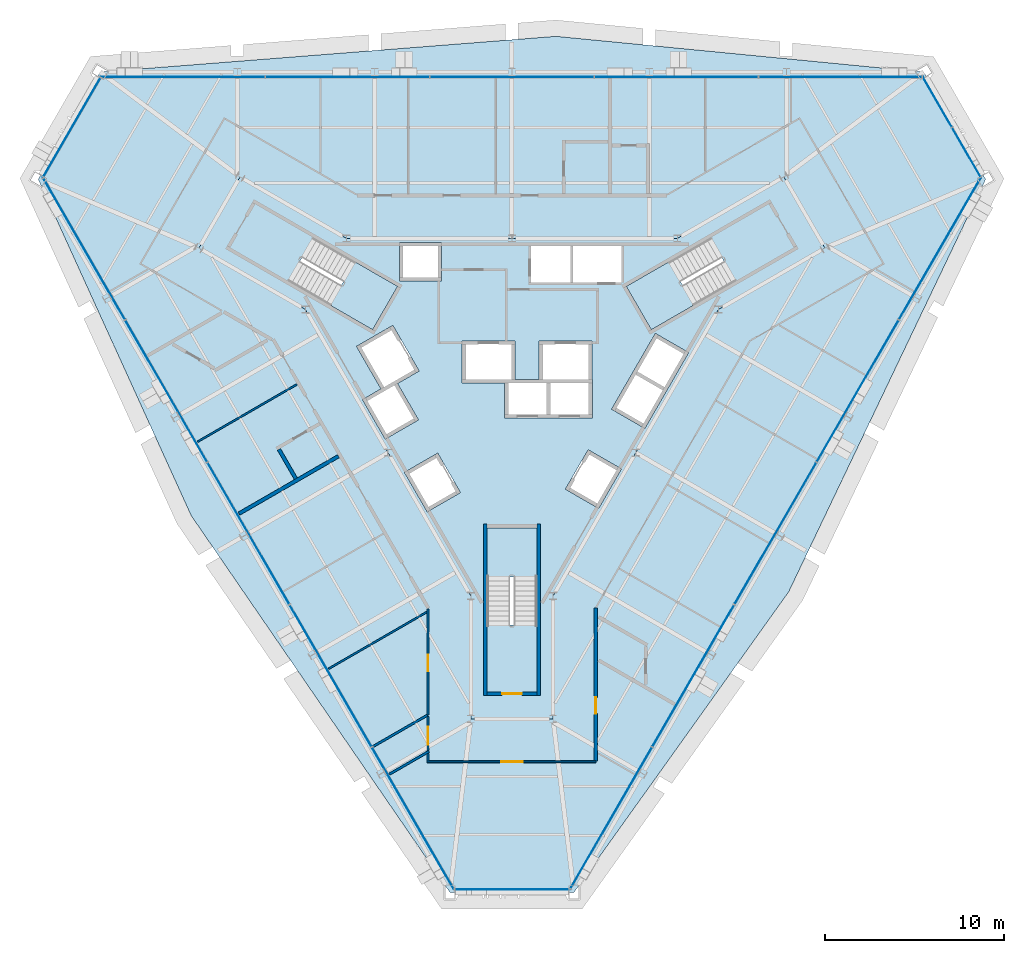
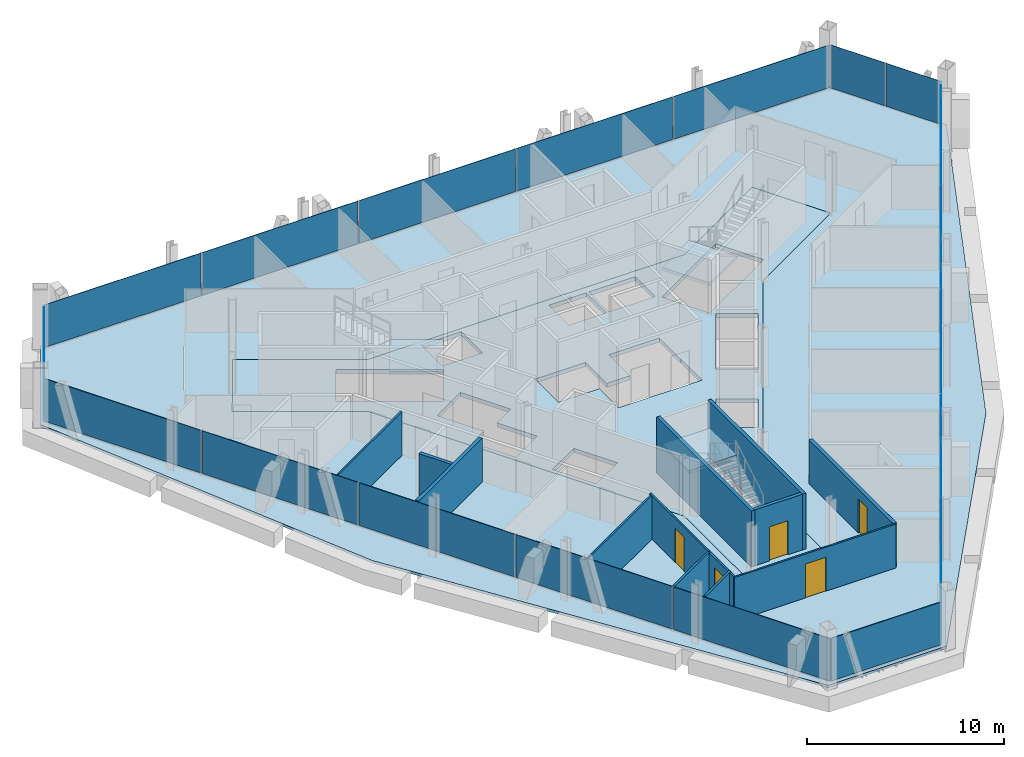
# One storey, part 7 of 13: 19 plates, 14 walls, 5 doors, 5 slabs, 5 openings, 9 elements without a shape of their own.
"""IFC4 building model written with IfcOpenShell, lengths in metres."""

from ifc_helpers import new_model, si_unit, direction, frame, frame_2d, origin, origin_2d, place, context, subcontext, project, spatial, polyline, rectangle, outline, extrude, material, layer, layer_set, type_object, element, fill, aggregate, save


model = new_model("IFC4")

# Units and contexts
model_context = context("Model", 3, precision=1e-05, world=origin(), true_north=direction((0.0, 1.0)))
body_context = subcontext(model_context, "Body", "Model", "MODEL_VIEW")
ifc_project = project(units=[si_unit("LENGTHUNIT", "METRE"), si_unit("AREAUNIT", "SQUARE_METRE"), si_unit("VOLUMEUNIT", "CUBIC_METRE"), si_unit("PLANEANGLEUNIT", "RADIAN"), si_unit("MASSUNIT", "GRAM", prefix="KILO")], contexts=[model_context])

# Site, building, storey
site_placement = place(None, origin())
site = spatial("IfcSite", under=ifc_project, at=site_placement, CompositionType="ELEMENT")
building_placement = place(site_placement, origin())
building = spatial("IfcBuilding", under=site, at=building_placement, Name="Verrane Prism Tower", CompositionType="ELEMENT")
storey_placement = place(building_placement, frame((0.0, 0.0, 167.300048828125)))
storey = spatial("IfcBuildingStorey", under=building, at=storey_placement, Name="L41", CompositionType="ELEMENT", Elevation=167.300048828125)

# Slabs
ifc_material_1 = material(Name="Concrete C35/45", Category="concrete")
ifc_layer_1 = layer(ifc_material_1, 0.159912109375)
ifc_layer_set_1 = layer_set([ifc_layer_1], Name="Composite floor slab")
slab_type_1 = type_object("IfcSlabType", Name="Composite floor slab", PredefinedType="FLOOR", material=ifc_layer_set_1)
slab_1_placement = place(storey_placement, frame((0.0, 0.0, -0.16015625)))
element("IfcSlab", 1, at=slab_1_placement, inside=storey, type_object=slab_type_1, Name="Floor slab L41", PredefinedType="FLOOR", context=body_context, shape_type="SweptSolid", body=[
    extrude(outline(polyline([(15.49365234375, -11.7841796875), (3.467041015625, -28.614990234375), (-3.467041015625, -28.614990234375), (-17.9521484375, -7.52587890625), (-26.514892578125, 11.304931640625), (-23.0478515625, 17.31005859375), (2.45849609375, 19.31005859375), (23.0478515625, 17.31005859375), (26.514892578125, 11.304931640625), (15.49365234375, -11.7841796875)]), holes=[polyline([(17.52001953125, 7.4599609375), (15.219970703125, 11.43994140625), (9.260009765625, 8.0), (0.0, 8.0), (-9.260009765625, 8.0), (-15.219970703125, 11.43994140625), (-17.52001953125, 7.4599609375), (-11.56005859375, 4.02001953125), (-6.929931640625, -4.0), (-2.300048828125, -12.02001953125), (-2.300048828125, -18.89990234375), (2.300048828125, -18.89990234375), (2.300048828125, -12.02001953125), (6.929931640625, -4.0), (11.56005859375, 4.02001953125), (17.52001953125, 7.4599609375)])]), origin(), (0.0, 0.0, 1.0), 0.16015625),
])
ifc_material_2 = material(Name="Concrete C40/50", Category="concrete")
ifc_layer_2 = layer(ifc_material_2, 0.25)
ifc_layer_set_2 = layer_set([ifc_layer_2], Name="Core floor slab 250 concrete C40/50")
slab_type_2 = type_object("IfcSlabType", Name="Core floor slab 250 concrete C40/50", PredefinedType="FLOOR", material=ifc_layer_set_2)
slab_2_placement = place(storey_placement, frame((0.0, 0.0, -0.25)))
element("IfcSlab", 2, at=slab_2_placement, inside=storey, type_object=slab_type_2, Name="Core floor L41", PredefinedType="FLOOR", context=body_context, shape_type="SweptSolid", body=[
    extrude(outline(polyline([(11.56005859375, 4.02001953125), (17.52001953125, 7.4599609375), (15.219970703125, 11.43994140625), (9.260009765625, 8.0), (0.0, 8.0), (-9.260009765625, 8.0), (-15.219970703125, 11.43994140625), (-17.52001953125, 7.4599609375), (-11.56005859375, 4.02001953125), (-6.929931640625, -4.0), (-2.300048828125, -12.02001953125), (-2.300048828125, -18.89990234375), (2.300048828125, -18.89990234375), (2.300048828125, -12.02001953125), (6.929931640625, -4.0), (11.56005859375, 4.02001953125)]), holes=[polyline([(1.39990234375, -8.199951171875), (1.39990234375, -13.639892578125), (-1.39990234375, -13.639892578125), (-1.39990234375, -8.199951171875), (1.39990234375, -8.199951171875)]), polyline([(-2.881103515625, -6.22998046875), (-4.742919921875, -7.304931640625), (-6.01806640625, -5.096923828125), (-4.156005859375, -4.02197265625), (-2.881103515625, -6.22998046875)]), polyline([(-7.801025390625, 2.887939453125), (-12.512939453125, 5.60791015625), (-11.113037109375, 8.031982421875), (-6.40087890625, 5.31201171875), (-7.801025390625, 2.887939453125)]), polyline([(-6.284912109375, 5.610107421875), (-6.284912109375, 7.760009765625), (-3.93505859375, 7.760009765625), (-3.93505859375, 5.610107421875), (-6.284912109375, 5.610107421875)]), polyline([(4.26611328125, -3.8310546875), (6.1279296875, -4.906005859375), (4.85302734375, -7.114990234375), (2.990966796875, -6.0400390625), (4.26611328125, -3.8310546875)]), polyline([(7.43798828125, -2.636962890625), (5.575927734375, -1.56201171875), (8.02587890625, 2.680908203125), (9.887939453125, 1.60595703125), (7.43798828125, -2.636962890625)]), polyline([(0.1650390625, 0.10009765625), (1.52490234375, 0.10009765625), (1.52490234375, 2.25), (4.47509765625, 2.25), (4.47509765625, 0.10009765625), (4.4951171875, 0.10009765625), (4.4951171875, -2.050048828125), (-0.405029296875, -2.050048828125), (-0.405029296875, -0.10009765625), (-2.784912109375, -0.10009765625), (-2.784912109375, 2.25), (0.1650390625, 2.25), (0.1650390625, 0.10009765625)]), polyline([(6.40087890625, 5.31201171875), (11.113037109375, 8.031982421875), (12.512939453125, 5.60791015625), (7.801025390625, 2.887939453125), (6.40087890625, 5.31201171875)]), polyline([(1.074951171875, 5.534912109375), (1.074951171875, 7.56005859375), (3.264892578125, 7.56005859375), (3.264892578125, 5.534912109375), (1.074951171875, 5.534912109375)]), polyline([(3.4150390625, 7.56005859375), (6.125, 7.56005859375), (6.125, 5.534912109375), (3.4150390625, 5.534912109375), (3.4150390625, 7.56005859375)]), polyline([(-5.23095703125, -2.159912109375), (-7.093017578125, -3.235107421875), (-8.367919921875, -1.02587890625), (-7.3291015625, -0.426025390625), (-8.7041015625, 1.955078125), (-6.66796875, 3.1298828125), (-5.193115234375, 0.574951171875), (-6.406005859375, -0.125), (-5.23095703125, -2.159912109375)])]), origin(), (0.0, 0.0, 1.0), 0.25),
])

# Curtain wall, plates
ifc_material_3 = material(Name="Aluminium framed insulated glazing", Category="aluminium")
curtain_wall_type_1 = type_object("IfcCurtainWallType", Name="Curtain wall CW-C 4200 module", PredefinedType="NOTDEFINED", material=ifc_material_3)
curtain_wall_1_placement = place(storey_placement, origin())
curtain_wall_1 = element("IfcCurtainWall", 3, at=curtain_wall_1_placement, inside=storey, type_object=curtain_wall_type_1, Name="Glazed curtain wall north-east corner L41", PredefinedType="NOTDEFINED")
ifc_material_4 = material(Name="Low-iron insulating glass unit", Category="glass")
ifc_layer_3 = layer(ifc_material_4, 0.02392578125)
ifc_layer_set_3 = layer_set([ifc_layer_3], Name="Glazing panel IGU 24")
plate_type_1 = type_object("IfcPlateType", Name="Glazing panel IGU 24", PredefinedType="CURTAIN_PANEL", material=ifc_layer_set_3)
plate_1_placement = place(storey_placement, frame((25.43310546875, 12.823486328125, 0.0498046875), z_axis=(0.0, 0.0, 1.0), x_axis=(-0.50000590643, 0.866021993679, 0.0)))
plate_1 = element("IfcPlate", 4, at=plate_1_placement, type_object=plate_type_1, Name="CW39.1 panel 1", PredefinedType="CURTAIN_PANEL", context=body_context, shape_type="SweptSolid", body=[
    extrude(rectangle(XDim=3.17236328125, YDim=0.02392578125, at=origin_2d()), origin(), (0.0, 0.0, 1.0), 2.662841796875),
])
plate_2_placement = place(storey_placement, frame((23.8095703125, 15.6357421875, 0.0498046875), z_axis=(0.0, 0.0, 1.0), x_axis=(-0.50000590643, 0.866021993679, 0.0)))
plate_2 = element("IfcPlate", 5, at=plate_2_placement, type_object=plate_type_1, Name="CW39.1 panel 2", PredefinedType="CURTAIN_PANEL", context=body_context, shape_type="SweptSolid", body=[
    extrude(rectangle(XDim=3.22216796875, YDim=0.02392578125, at=origin_2d()), origin(), (0.0, 0.0, 1.0), 2.662841796875),
])
aggregate(curtain_wall_1, [plate_1, plate_2])

ifc_material_5 = material(Name="Aluminium framed insulated glazing", Category="aluminium")
curtain_wall_type_2 = type_object("IfcCurtainWallType", Name="Curtain wall CW-A 8400 module", PredefinedType="NOTDEFINED", material=ifc_material_5)
curtain_wall_2_placement = place(storey_placement, origin())
curtain_wall_2 = element("IfcCurtainWall", 6, at=curtain_wall_2_placement, inside=storey, type_object=curtain_wall_type_2, Name="Glazed curtain wall north face L41", PredefinedType="NOTDEFINED")
ifc_material_6 = material(Name="Low-iron insulating glass unit", Category="glass")
ifc_layer_4 = layer(ifc_material_6, 0.031982421875)
ifc_layer_set_4 = layer_set([ifc_layer_4], Name="Glazing panel IGU 32")
plate_type_2 = type_object("IfcPlateType", Name="Glazing panel IGU 32", PredefinedType="CURTAIN_PANEL", material=ifc_layer_set_4)
plate_3_placement = place(storey_placement, frame((18.3857421875, 17.031005859375, 0.06982421875), z_axis=(0.0, 0.0, 1.0), x_axis=(-1.0, 0.0, 0.0)))
plate_3 = element("IfcPlate", 7, at=plate_3_placement, type_object=plate_type_2, Name="CW39.2 panel 1", PredefinedType="CURTAIN_PANEL", context=body_context, shape_type="SweptSolid", body=[
    extrude(rectangle(XDim=9.0966796875, YDim=0.031982421875, at=origin_2d()), origin(), (0.0, 0.0, 1.0), 2.642822265625),
])
plate_4_placement = place(storey_placement, frame((9.20166015625, 17.031005859375, 0.06982421875), z_axis=(0.0, 0.0, 1.0), x_axis=(-1.0, 0.0, 0.0)))
plate_4 = element("IfcPlate", 8, at=plate_4_placement, type_object=plate_type_2, Name="CW39.2 panel 2", PredefinedType="CURTAIN_PANEL", context=body_context, shape_type="SweptSolid", body=[
    extrude(rectangle(XDim=9.131591796875, YDim=0.031982421875, at=origin_2d()), origin(), (0.0, 0.0, 1.0), 2.642822265625),
])
plate_5_placement = place(storey_placement, frame((0.0, 17.031005859375, 0.06982421875), z_axis=(0.0, 0.0, 1.0), x_axis=(-1.0, 0.0, 0.0)))
plate_5 = element("IfcPlate", 9, at=plate_5_placement, type_object=plate_type_2, Name="CW39.2 panel 3", PredefinedType="CURTAIN_PANEL", context=body_context, shape_type="SweptSolid", body=[
    extrude(rectangle(XDim=9.131591796875, YDim=0.031982421875, at=origin_2d()), origin(), (0.0, 0.0, 1.0), 2.642822265625),
])
plate_6_placement = place(storey_placement, frame((-9.20166015625, 17.031005859375, 0.06982421875), z_axis=(0.0, 0.0, 1.0), x_axis=(-1.0, 0.0, 0.0)))
plate_6 = element("IfcPlate", 10, at=plate_6_placement, type_object=plate_type_2, Name="CW39.2 panel 4", PredefinedType="CURTAIN_PANEL", context=body_context, shape_type="SweptSolid", body=[
    extrude(rectangle(XDim=9.131591796875, YDim=0.031982421875, at=origin_2d()), origin(), (0.0, 0.0, 1.0), 2.642822265625),
])
plate_7_placement = place(storey_placement, frame((-18.420654296875, 17.031005859375, 0.06982421875), z_axis=(0.0, 0.0, 1.0), x_axis=(-1.0, 0.0, 0.0)))
plate_7 = element("IfcPlate", 11, at=plate_7_placement, type_object=plate_type_2, Name="CW39.2 panel 5", PredefinedType="CURTAIN_PANEL", context=body_context, shape_type="SweptSolid", body=[
    extrude(rectangle(XDim=9.16650390625, YDim=0.031982421875, at=origin_2d()), origin(), (0.0, 0.0, 1.0), 2.642822265625),
])
aggregate(curtain_wall_2, [plate_3, plate_4, plate_5, plate_6, plate_7])

# Curtain wall, plate
curtain_wall_3_placement = place(storey_placement, origin())
curtain_wall_3 = element("IfcCurtainWall", 12, at=curtain_wall_3_placement, inside=storey, type_object=curtain_wall_type_2, Name="Glazed curtain wall north-west corner L41", PredefinedType="NOTDEFINED")
plate_8_placement = place(storey_placement, frame((-24.645263671875, 14.1884765625, 0.06982421875), z_axis=(0.0, 0.0, 1.0), x_axis=(-0.50000590643, -0.866021993679, 0.0)))
plate_8 = element("IfcPlate", 13, at=plate_8_placement, type_object=plate_type_2, Name="CW39.3 panel 1", PredefinedType="CURTAIN_PANEL", context=body_context, shape_type="SweptSolid", body=[
    extrude(rectangle(XDim=6.424560546875, YDim=0.031982421875, at=origin_2d()), origin(), (0.0, 0.0, 1.0), 2.642822265625),
])
aggregate(curtain_wall_3, [plate_8])

# Curtain wall, plates
curtain_wall_4_placement = place(storey_placement, origin())
curtain_wall_4 = element("IfcCurtainWall", 14, at=curtain_wall_4_placement, inside=storey, type_object=curtain_wall_type_2, Name="Glazed curtain wall south-west face L41", PredefinedType="NOTDEFINED")
plate_9_placement = place(storey_placement, frame((-23.942138671875, 7.406982421875, 0.06982421875), z_axis=(0.0, 0.0, 1.0), x_axis=(0.499999028499, -0.86602596468, 0.0)))
plate_9 = element("IfcPlate", 15, at=plate_9_placement, type_object=plate_type_2, Name="CW39.4 panel 1", PredefinedType="CURTAIN_PANEL", context=body_context, shape_type="SweptSolid", body=[
    extrude(rectangle(XDim=9.0966796875, YDim=0.031982421875, at=origin_2d()), origin(), (0.0, 0.0, 1.0), 2.642822265625),
])
plate_10_placement = place(storey_placement, frame((-19.35009765625, -0.546630859375, 0.06982421875), z_axis=(0.0, 0.0, 1.0), x_axis=(0.499999028499, -0.86602596468, 0.0)))
plate_10 = element("IfcPlate", 16, at=plate_10_placement, type_object=plate_type_2, Name="CW39.4 panel 2", PredefinedType="CURTAIN_PANEL", context=body_context, shape_type="SweptSolid", body=[
    extrude(rectangle(XDim=9.131591796875, YDim=0.031982421875, at=origin_2d()), origin(), (0.0, 0.0, 1.0), 2.642822265625),
])
plate_11_placement = place(storey_placement, frame((-14.749267578125, -8.515380859375, 0.06982421875), z_axis=(0.0, 0.0, 1.0), x_axis=(0.499999028499, -0.86602596468, 0.0)))
plate_11 = element("IfcPlate", 17, at=plate_11_placement, type_object=plate_type_2, Name="CW39.4 panel 3", PredefinedType="CURTAIN_PANEL", context=body_context, shape_type="SweptSolid", body=[
    extrude(rectangle(XDim=9.131591796875, YDim=0.031982421875, at=origin_2d()), origin(), (0.0, 0.0, 1.0), 2.642822265625),
])
plate_12_placement = place(storey_placement, frame((-10.1484375, -16.484375, 0.06982421875), z_axis=(0.0, 0.0, 1.0), x_axis=(0.499999028499, -0.86602596468, 0.0)))
plate_12 = element("IfcPlate", 18, at=plate_12_placement, type_object=plate_type_2, Name="CW39.4 panel 4", PredefinedType="CURTAIN_PANEL", context=body_context, shape_type="SweptSolid", body=[
    extrude(rectangle(XDim=9.131591796875, YDim=0.031982421875, at=origin_2d()), origin(), (0.0, 0.0, 1.0), 2.642822265625),
])
plate_13_placement = place(storey_placement, frame((-5.5390625, -24.46826171875, 0.06982421875), z_axis=(0.0, 0.0, 1.0), x_axis=(0.499999028499, -0.86602596468, 0.0)))
plate_13 = element("IfcPlate", 19, at=plate_13_placement, type_object=plate_type_2, Name="CW39.4 panel 5", PredefinedType="CURTAIN_PANEL", context=body_context, shape_type="SweptSolid", body=[
    extrude(rectangle(XDim=9.16650390625, YDim=0.031982421875, at=origin_2d()), origin(), (0.0, 0.0, 1.0), 2.642822265625),
])
aggregate(curtain_wall_4, [plate_9, plate_10, plate_11, plate_12, plate_13])

# Curtain wall, plate
curtain_wall_5_placement = place(storey_placement, origin())
curtain_wall_5 = element("IfcCurtainWall", 20, at=curtain_wall_5_placement, inside=storey, type_object=curtain_wall_type_2, Name="Glazed curtain wall south corner L41", PredefinedType="NOTDEFINED")
plate_14_placement = place(storey_placement, frame((0.034912109375, -28.4375, 0.06982421875), z_axis=(0.0, 0.0, 1.0), x_axis=(1.0, 0.0, 0.0)))
plate_14 = element("IfcPlate", 21, at=plate_14_placement, type_object=plate_type_2, Name="CW39.5 panel 1", PredefinedType="CURTAIN_PANEL", context=body_context, shape_type="SweptSolid", body=[
    extrude(rectangle(XDim=6.424560546875, YDim=0.031982421875, at=origin_2d()), origin(), (0.0, 0.0, 1.0), 2.642822265625),
])
aggregate(curtain_wall_5, [plate_14])

# Curtain wall, plates
curtain_wall_6_placement = place(storey_placement, origin())
curtain_wall_6 = element("IfcCurtainWall", 22, at=curtain_wall_6_placement, inside=storey, type_object=curtain_wall_type_2, Name="Glazed curtain wall south-east face L41", PredefinedType="NOTDEFINED")
plate_15_placement = place(storey_placement, frame((5.556396484375, -24.43798828125, 0.06982421875), z_axis=(0.0, 0.0, 1.0), x_axis=(0.499999028499, 0.86602596468, 0.0)))
plate_15 = element("IfcPlate", 23, at=plate_15_placement, type_object=plate_type_2, Name="CW39.6 panel 1", PredefinedType="CURTAIN_PANEL", context=body_context, shape_type="SweptSolid", body=[
    extrude(rectangle(XDim=9.0966796875, YDim=0.031982421875, at=origin_2d()), origin(), (0.0, 0.0, 1.0), 2.642822265625),
])
plate_16_placement = place(storey_placement, frame((10.1484375, -16.484375, 0.06982421875), z_axis=(0.0, 0.0, 1.0), x_axis=(0.499999028499, 0.86602596468, 0.0)))
plate_16 = element("IfcPlate", 24, at=plate_16_placement, type_object=plate_type_2, Name="CW39.6 panel 2", PredefinedType="CURTAIN_PANEL", context=body_context, shape_type="SweptSolid", body=[
    extrude(rectangle(XDim=9.131591796875, YDim=0.031982421875, at=origin_2d()), origin(), (0.0, 0.0, 1.0), 2.642822265625),
])
plate_17_placement = place(storey_placement, frame((14.749267578125, -8.515380859375, 0.06982421875), z_axis=(0.0, 0.0, 1.0), x_axis=(0.499999028499, 0.86602596468, 0.0)))
plate_17 = element("IfcPlate", 25, at=plate_17_placement, type_object=plate_type_2, Name="CW39.6 panel 3", PredefinedType="CURTAIN_PANEL", context=body_context, shape_type="SweptSolid", body=[
    extrude(rectangle(XDim=9.131591796875, YDim=0.031982421875, at=origin_2d()), origin(), (0.0, 0.0, 1.0), 2.642822265625),
])
plate_18_placement = place(storey_placement, frame((19.35009765625, -0.546630859375, 0.06982421875), z_axis=(0.0, 0.0, 1.0), x_axis=(0.499999028499, 0.86602596468, 0.0)))
plate_18 = element("IfcPlate", 26, at=plate_18_placement, type_object=plate_type_2, Name="CW39.6 panel 4", PredefinedType="CURTAIN_PANEL", context=body_context, shape_type="SweptSolid", body=[
    extrude(rectangle(XDim=9.131591796875, YDim=0.031982421875, at=origin_2d()), origin(), (0.0, 0.0, 1.0), 2.642822265625),
])
plate_19_placement = place(storey_placement, frame((23.959716796875, 7.437255859375, 0.06982421875), z_axis=(0.0, 0.0, 1.0), x_axis=(0.499999028499, 0.86602596468, 0.0)))
plate_19 = element("IfcPlate", 27, at=plate_19_placement, type_object=plate_type_2, Name="CW39.6 panel 5", PredefinedType="CURTAIN_PANEL", context=body_context, shape_type="SweptSolid", body=[
    extrude(rectangle(XDim=9.16650390625, YDim=0.031982421875, at=origin_2d()), origin(), (0.0, 0.0, 1.0), 2.642822265625),
])
aggregate(curtain_wall_6, [plate_15, plate_16, plate_17, plate_18, plate_19])

# Stair, slab
ifc_material_7 = material(Name="Concrete C40/50", Category="concrete")
stair_type = type_object("IfcStairType", Name="Exit stair 1300 dog-leg precast concrete C40/50", PredefinedType="HALF_TURN_STAIR", material=ifc_material_7)
stair_1_placement = place(storey_placement, origin())
stair_1 = element("IfcStair", 28, at=stair_1_placement, inside=storey, type_object=stair_type, Name="Stair 1 L41", PredefinedType="HALF_TURN_STAIR")
ifc_material_8 = material(Name="Concrete C40/50", Category="concrete")
ifc_layer_5 = layer(ifc_material_8, 0.199951171875)
ifc_layer_set_5 = layer_set([ifc_layer_5], Name="Stair landing 200 precast concrete C40/50")
slab_type_3 = type_object("IfcSlabType", Name="Stair landing 200 precast concrete C40/50", PredefinedType="LANDING", material=ifc_layer_set_5)
slab_3_placement = place(storey_placement, frame((0.0, 0.0, 1.64990234375)))
slab_3 = element("IfcSlab", 29, at=slab_3_placement, type_object=slab_type_3, Name="Stair 1 landing 1", PredefinedType="LANDING", context=body_context, shape_type="SweptSolid", body=[
    extrude(outline(polyline([(8.791748046875, 6.6923828125), (6.4013671875, 5.3125), (7.801513671875, 2.887451171875), (10.191650390625, 4.267578125), (8.791748046875, 6.6923828125)])), origin(), (0.0, 0.0, 1.0), 0.199951171875),
])
aggregate(stair_1, [slab_3])

stair_2_placement = place(storey_placement, origin())
stair_2 = element("IfcStair", 30, at=stair_2_placement, inside=storey, type_object=stair_type, Name="Stair 2 L41", PredefinedType="HALF_TURN_STAIR")
slab_4_placement = place(storey_placement, frame((0.0, 0.0, 1.64990234375)))
slab_4 = element("IfcSlab", 31, at=slab_4_placement, type_object=slab_type_3, Name="Stair 2 landing 1", PredefinedType="LANDING", context=body_context, shape_type="SweptSolid", body=[
    extrude(outline(polyline([(-10.191650390625, 4.267578125), (-7.801513671875, 2.887451171875), (-6.4013671875, 5.3125), (-8.791748046875, 6.6923828125), (-10.191650390625, 4.267578125)])), origin(), (0.0, 0.0, 1.0), 0.199951171875),
])
aggregate(stair_2, [slab_4])

stair_3_placement = place(storey_placement, origin())
stair_3 = element("IfcStair", 32, at=stair_3_placement, inside=storey, type_object=stair_type, Name="Stair 3 L41", PredefinedType="HALF_TURN_STAIR")
slab_5_placement = place(storey_placement, frame((0.0, 0.0, 1.64990234375)))
slab_5 = element("IfcSlab", 33, at=slab_5_placement, type_object=slab_type_3, Name="Stair 3 landing 1", PredefinedType="LANDING", context=body_context, shape_type="SweptSolid", body=[
    extrude(outline(polyline([(1.39990234375, -10.9599609375), (1.39990234375, -8.199951171875), (-1.39990234375, -8.199951171875), (-1.39990234375, -10.9599609375), (1.39990234375, -10.9599609375)])), origin(), (0.0, 0.0, 1.0), 0.199951171875),
])
aggregate(stair_3, [slab_5])

# Wall, opening, door
ifc_material_9 = material(Name="Concrete C40/50", Category="concrete")
ifc_layer_6 = layer(ifc_material_9, 0.199951171875)
ifc_layer_set_6 = layer_set([ifc_layer_6], Name="CW-200 stair core wall concrete C40/50 3 h")
wall_type_1 = type_object("IfcWallType", Name="CW-200 stair core wall concrete C40/50 3 h", PredefinedType="PARTITIONING", material=ifc_layer_set_6)
wall_1_placement = place(storey_placement, frame((-1.39990234375, -17.5, 0.0), z_axis=(0.0, 0.0, 1.0), x_axis=(1.0, 0.0, 0.0)))
wall_1 = element("IfcWall", 34, at=wall_1_placement, inside=storey, type_object=wall_type_1, Name="Stair 3 enclosure wall", PredefinedType="PARTITIONING", context=body_context, shape_type="SweptSolid", body=[
    extrude(rectangle(XDim=2.7998046875, YDim=0.199951171875, at=frame_2d((1.39990234375, 0.0))), origin(), (0.0, 0.0, 1.0), 3.449951171875),
])
opening_1_placement = place(wall_1_placement, frame((0.85009765625, 0.0, 0.0)))
opening_1 = element("IfcOpeningElement", 35, at=opening_1_placement, cuts=wall_1, Name="Opening D39502", PredefinedType="OPENING", context=body_context, shape_type="SweptSolid", body=[
    extrude(rectangle(XDim=1.10009765625, YDim=2.10009765625, at=frame_2d((0.550048828125, 1.050048828125))), frame((0.0, 0.10986328125, 0.0), z_axis=(0.0, -1.0, 0.0), x_axis=(1.0, 0.0, 0.0)), (0.0, 0.0, 1.0), 0.219970703125),
])
ifc_material_10 = material(Name="Timber veneered door leaf", Category="wood")
door_type_1 = type_object("IfcDoorType", Name="DR-1100x2100 FD90 single leaf stair", OperationType="NOTDEFINED", PredefinedType="DOOR", material=ifc_material_10)
door_1_placement = place(opening_1_placement, origin())
door_1 = element("IfcDoor", 36, at=door_1_placement, inside=storey, type_object=door_type_1, Name="Stair 3 door", OperationType="SINGLE_SWING_LEFT", OverallHeight=2.10009765625, OverallWidth=1.10009765625, PredefinedType="DOOR", context=body_context, shape_type="SweptSolid", body=[
    extrude(rectangle(XDim=1.10009765625, YDim=2.10009765625, at=frame_2d((0.550048828125, 1.050048828125))), frame((0.0, 0.02490234375, 0.0), z_axis=(0.0, -1.0, 0.0), x_axis=(1.0, 0.0, 0.0)), (0.0, 0.0, 1.0), 0.050048828125),
])
fill(opening_1, door_1)

# Walls
for number, where, z_axis, x_axis, name in (
    (37, (1.5, -8.0, 0.0), (0.0, 0.0, 1.0), (0.0, -1.0, 0.0), "Stair 3 enclosure wall"),
    (38, (-1.5, -8.0, 0.0), (0.0, 0.0, 1.0), (0.0, -1.0, 0.0), "Stair 3 enclosure wall"),
):
    element("IfcWall", number, at=place(storey_placement, frame(where, z_axis=z_axis, x_axis=x_axis)), inside=storey, type_object=wall_type_1, Name=name, PredefinedType="PARTITIONING", context=body_context, shape_type="SweptSolid", body=[
        extrude(rectangle(XDim=9.60009765625, YDim=0.199951171875, at=frame_2d((4.800048828125, 0.0))), origin(), (0.0, 0.0, 1.0), 3.449951171875),
    ])
ifc_material_11 = material(Name="Gypsum board partition", Category="other")
ifc_layer_7 = layer(ifc_material_11, 0.10009765625)
ifc_layer_set_7 = layer_set([ifc_layer_7], Name="PW-100 room partition")
wall_type_2 = type_object("IfcWallType", Name="PW-100 room partition", PredefinedType="PARTITIONING", material=ifc_layer_set_7)
wall_2_placement = place(storey_placement, frame((-17.599853515625, -3.385986328125, 0.0), z_axis=(0.0, 0.0, 1.0), x_axis=(0.865994725265, 0.50005313299, 0.0)))
element("IfcWall", 39, at=wall_2_placement, inside=storey, type_object=wall_type_2, Name="Room partition 006", PredefinedType="PARTITIONING", context=body_context, shape_type="SweptSolid", body=[
    extrude(rectangle(XDim=6.433349609375, YDim=0.10009765625, at=frame_2d((3.216796875, 0.0))), origin(), (0.0, 0.0, 1.0), 2.712890625),
])
wall_3_placement = place(storey_placement, frame((-10.264404296875, -16.091796875, 0.0), z_axis=(0.0, 0.0, 1.0), x_axis=(0.86602074738, 0.500008065043, 0.0)))
element("IfcWall", 40, at=wall_3_placement, inside=storey, type_object=wall_type_2, Name="Room partition 016", PredefinedType="PARTITIONING", context=body_context, shape_type="SweptSolid", body=[
    extrude(rectangle(XDim=6.3388671875, YDim=0.10009765625, at=frame_2d((3.16943359375, 0.0))), origin(), (0.0, 0.0, 1.0), 2.712890625),
])
wall_4_placement = place(storey_placement, frame((-4.699951171875, -21.25, 0.0), z_axis=(0.0, 0.0, 1.0), x_axis=(0.0, 1.0, 0.0)))
element("IfcWall", 41, at=wall_4_placement, inside=storey, type_object=wall_type_2, Name="Room partition 021", PredefinedType="PARTITIONING", context=body_context, shape_type="SweptSolid", body=[
    extrude(rectangle(XDim=0.403076171875, YDim=0.10009765625, at=frame_2d((0.20166015625, 0.0))), origin(), (0.0, 0.0, 1.0), 2.712890625),
])

# Wall, opening, door
wall_5_placement = place(storey_placement, frame((4.699951171875, -21.300048828125, 0.0), z_axis=(0.0, 0.0, 1.0), x_axis=(-1.0, 0.0, 0.0)))
wall_5 = element("IfcWall", 42, at=wall_5_placement, inside=storey, type_object=wall_type_2, Name="Room partition 022", PredefinedType="PARTITIONING", context=body_context, shape_type="SweptSolid", body=[
    extrude(rectangle(XDim=9.449951171875, YDim=0.10009765625, at=frame_2d((4.72509765625, 0.0))), origin(), (0.0, 0.0, 1.0), 2.712890625),
])
opening_2_placement = place(wall_5_placement, frame((4.10009765625, 0.0, 0.0)))
opening_2 = element("IfcOpeningElement", 43, at=opening_2_placement, cuts=wall_5, Name="Opening D39025", PredefinedType="OPENING", context=body_context, shape_type="SweptSolid", body=[
    extrude(rectangle(XDim=1.199951171875, YDim=2.10009765625, at=frame_2d((0.60009765625, 1.050048828125))), frame((0.0, 0.06005859375, 0.0), z_axis=(0.0, -1.0, 0.0), x_axis=(1.0, 0.0, 0.0)), (0.0, 0.0, 1.0), 0.1201171875),
])
ifc_material_12 = material(Name="Timber veneered door leaf", Category="wood")
door_type_2 = type_object("IfcDoorType", Name="DR-1200x2100 single leaf unit", OperationType="NOTDEFINED", PredefinedType="DOOR", material=ifc_material_12)
door_2_placement = place(opening_2_placement, origin())
door_2 = element("IfcDoor", 44, at=door_2_placement, inside=storey, type_object=door_type_2, Name="Living And Dining Room door", OperationType="SINGLE_SWING_RIGHT", OverallHeight=2.10009765625, OverallWidth=1.199951171875, PredefinedType="DOOR", context=body_context, shape_type="SweptSolid", body=[
    extrude(rectangle(XDim=1.199951171875, YDim=2.10009765625, at=frame_2d((0.60009765625, 1.050048828125))), frame((0.0, 0.02490234375, 0.0), z_axis=(0.0, -1.0, 0.0), x_axis=(1.0, 0.0, 0.0)), (0.0, 0.0, 1.0), 0.050048828125),
])
fill(opening_2, door_2)

wall_6_placement = place(storey_placement, frame((-4.699951171875, -18.6689453125, 0.0), z_axis=(0.0, 0.0, 1.0), x_axis=(0.0, 1.0, 0.0)))
wall_6 = element("IfcWall", 45, at=wall_6_placement, inside=storey, type_object=wall_type_2, Name="Room partition 024", PredefinedType="PARTITIONING", context=body_context, shape_type="SweptSolid", body=[
    extrude(rectangle(XDim=5.9208984375, YDim=0.10009765625, at=frame_2d((2.96044921875, 0.0))), origin(), (0.0, 0.0, 1.0), 2.712890625),
])
opening_3_placement = place(wall_6_placement, frame((2.449951171875, 0.0, 0.0)))
opening_3 = element("IfcOpeningElement", 46, at=opening_3_placement, cuts=wall_6, Name="Opening D39024", PredefinedType="OPENING", context=body_context, shape_type="SweptSolid", body=[
    extrude(rectangle(XDim=0.89990234375, YDim=2.10009765625, at=frame_2d((0.449951171875, 1.050048828125))), frame((0.0, 0.06005859375, 0.0), z_axis=(0.0, -1.0, 0.0), x_axis=(1.0, 0.0, 0.0)), (0.0, 0.0, 1.0), 0.1201171875),
])
ifc_material_13 = material(Name="Timber veneered door leaf", Category="wood")
door_type_3 = type_object("IfcDoorType", Name="DR-900x2100 single leaf unit", OperationType="NOTDEFINED", PredefinedType="DOOR", material=ifc_material_13)
door_3_placement = place(opening_3_placement, origin())
door_3 = element("IfcDoor", 47, at=door_3_placement, inside=storey, type_object=door_type_3, Name="Study door", OperationType="SINGLE_SWING_RIGHT", OverallHeight=2.10009765625, OverallWidth=0.89990234375, PredefinedType="DOOR", context=body_context, shape_type="SweptSolid", body=[
    extrude(rectangle(XDim=0.89990234375, YDim=2.10009765625, at=frame_2d((0.449951171875, 1.050048828125))), frame((0.0, 0.02490234375, 0.0), z_axis=(0.0, -1.0, 0.0), x_axis=(1.0, 0.0, 0.0)), (0.0, 0.0, 1.0), 0.050048828125),
])
fill(opening_3, door_3)

# Walls
ifc_material_14 = material(Name="Gypsum board partition", Category="other")
ifc_layer_8 = layer(ifc_material_14, 0.125)
ifc_layer_set_8 = layer_set([ifc_layer_8], Name="PW-125 corridor wall 1 h")
wall_type_3 = type_object("IfcWallType", Name="PW-125 corridor wall 1 h", PredefinedType="PARTITIONING", material=ifc_layer_set_8)
wall_7_placement = place(storey_placement, frame((-7.7578125, -20.433837890625, 0.0), z_axis=(0.0, 0.0, 1.0), x_axis=(0.866090019653, 0.499888065328, 0.0)))
element("IfcWall", 48, at=wall_7_placement, inside=storey, type_object=wall_type_3, Name="Corridor wall 018", PredefinedType="PARTITIONING", context=body_context, shape_type="SweptSolid", body=[
    extrude(rectangle(XDim=3.488037109375, YDim=0.125, at=frame_2d((1.744140625, 0.0))), origin(), (0.0, 0.0, 1.0), 2.712890625),
])
wall_8_placement = place(storey_placement, frame((-6.857666015625, -21.992919921875, 0.0), z_axis=(0.0, 0.0, 1.0), x_axis=(0.865992952931, 0.500056202316, 0.0)))
element("IfcWall", 49, at=wall_8_placement, inside=storey, type_object=wall_type_3, Name="Corridor wall 019", PredefinedType="PARTITIONING", context=body_context, shape_type="SweptSolid", body=[
    extrude(rectangle(XDim=2.553955078125, YDim=0.125, at=frame_2d((1.27685546875, 0.0))), origin(), (0.0, 0.0, 1.0), 2.712890625),
])

# Wall, opening, door
wall_9_placement = place(storey_placement, frame((-4.699951171875, -18.77392578125, 0.0), z_axis=(0.0, 0.0, 1.0), x_axis=(0.0, -1.0, 0.0)))
wall_9 = element("IfcWall", 50, at=wall_9_placement, inside=storey, type_object=wall_type_3, Name="Corridor wall 023", PredefinedType="PARTITIONING", context=body_context, shape_type="SweptSolid", body=[
    extrude(rectangle(XDim=1.88818359375, YDim=0.125, at=frame_2d((0.944091796875, 0.0))), origin(), (0.0, 0.0, 1.0), 2.712890625),
])
opening_4_placement = place(wall_9_placement, frame((0.572998046875, 0.0, 0.0)))
opening_4 = element("IfcOpeningElement", 51, at=opening_4_placement, cuts=wall_9, Name="Opening D39026", PredefinedType="OPENING", context=body_context, shape_type="SweptSolid", body=[
    extrude(rectangle(XDim=1.0, YDim=2.10009765625, at=frame_2d((0.5, 1.050048828125))), frame((0.0, 0.072509765625, 0.0), z_axis=(0.0, -1.0, 0.0), x_axis=(1.0, 0.0, 0.0)), (0.0, 0.0, 1.0), 0.14501953125),
])
ifc_material_15 = material(Name="Timber veneered door leaf", Category="wood")
door_type_4 = type_object("IfcDoorType", Name="DR-1000x2100 FD20 single leaf unit", OperationType="NOTDEFINED", PredefinedType="DOOR", material=ifc_material_15)
door_4_placement = place(opening_4_placement, origin())
door_4 = element("IfcDoor", 52, at=door_4_placement, inside=storey, type_object=door_type_4, Name="Entrance Hall door", OperationType="SINGLE_SWING_LEFT", OverallHeight=2.10009765625, OverallWidth=1.0, PredefinedType="DOOR", context=body_context, shape_type="SweptSolid", body=[
    extrude(rectangle(XDim=1.0, YDim=2.10009765625, at=frame_2d((0.5, 1.050048828125))), frame((0.0, 0.02490234375, 0.0), z_axis=(0.0, -1.0, 0.0), x_axis=(1.0, 0.0, 0.0)), (0.0, 0.0, 1.0), 0.050048828125),
])
fill(opening_4, door_4)

# Walls
ifc_material_16 = material(Name="Gypsum board partition", Category="other")
ifc_layer_9 = layer(ifc_material_16, 0.199951171875)
ifc_layer_set_9 = layer_set([ifc_layer_9], Name="PW-200 plumbing wall")
wall_type_4 = type_object("IfcWallType", Name="PW-200 plumbing wall", PredefinedType="PARTITIONING", material=ifc_layer_set_9)
wall_10_placement = place(storey_placement, frame((-15.278564453125, -7.406982421875, 0.0), z_axis=(0.0, 0.0, 1.0), x_axis=(0.866016736051, 0.500015012654, 0.0)))
element("IfcWall", 53, at=wall_10_placement, inside=storey, type_object=wall_type_4, Name="Plumbing wall 010", PredefinedType="PARTITIONING", context=body_context, shape_type="SweptSolid", body=[
    extrude(rectangle(XDim=6.428955078125, YDim=0.199951171875, at=frame_2d((3.21435546875, 0.0))), origin(), (0.0, 0.0, 1.0), 2.712890625),
])
wall_11_placement = place(storey_placement, frame((-13.044921875, -3.8076171875, 0.0), z_axis=(0.0, 0.0, 1.0), x_axis=(0.499911523785, -0.866076479525, 0.0)))
element("IfcWall", 54, at=wall_11_placement, inside=storey, type_object=wall_type_4, Name="Plumbing wall 012", PredefinedType="PARTITIONING", context=body_context, shape_type="SweptSolid", body=[
    extrude(rectangle(XDim=1.900146484375, YDim=0.199951171875, at=frame_2d((0.9501953125, 0.0))), origin(), (0.0, 0.0, 1.0), 2.712890625),
])

# Wall, opening, door
wall_12_placement = place(storey_placement, frame((4.699951171875, -12.68798828125, 0.0), z_axis=(0.0, 0.0, 1.0), x_axis=(0.0, -1.0, 0.0)))
wall_12 = element("IfcWall", 55, at=wall_12_placement, inside=storey, type_object=wall_type_4, Name="Plumbing wall 028", PredefinedType="PARTITIONING", context=body_context, shape_type="SweptSolid", body=[
    extrude(rectangle(XDim=8.56201171875, YDim=0.199951171875, at=frame_2d((4.281005859375, 0.0))), origin(), (0.0, 0.0, 1.0), 2.712890625),
])
opening_5_placement = place(wall_12_placement, frame((5.009033203125, 0.0, 0.0)))
opening_5 = element("IfcOpeningElement", 56, at=opening_5_placement, cuts=wall_12, Name="Opening D39001", PredefinedType="OPENING", context=body_context, shape_type="SweptSolid", body=[
    extrude(rectangle(XDim=0.89990234375, YDim=2.10009765625, at=frame_2d((0.449951171875, 1.050048828125))), frame((0.0, 0.10986328125, 0.0), z_axis=(0.0, -1.0, 0.0), x_axis=(1.0, 0.0, 0.0)), (0.0, 0.0, 1.0), 0.219970703125),
])
door_5_placement = place(opening_5_placement, origin())
door_5 = element("IfcDoor", 57, at=door_5_placement, inside=storey, type_object=door_type_3, Name="Kitchen door", OperationType="SINGLE_SWING_RIGHT", OverallHeight=2.10009765625, OverallWidth=0.89990234375, PredefinedType="DOOR", context=body_context, shape_type="SweptSolid", body=[
    extrude(rectangle(XDim=0.89990234375, YDim=2.10009765625, at=frame_2d((0.449951171875, 1.050048828125))), frame((0.0, 0.02490234375, 0.0), z_axis=(0.0, -1.0, 0.0), x_axis=(1.0, 0.0, 0.0)), (0.0, 0.0, 1.0), 0.050048828125),
])
fill(opening_5, door_5)

save(model, "model.ifc")
